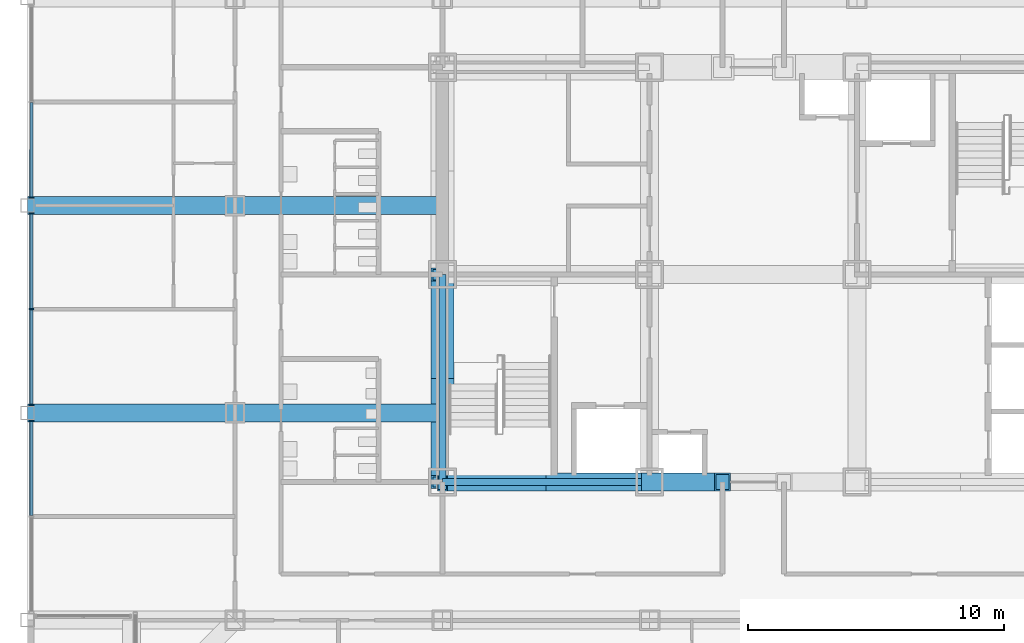
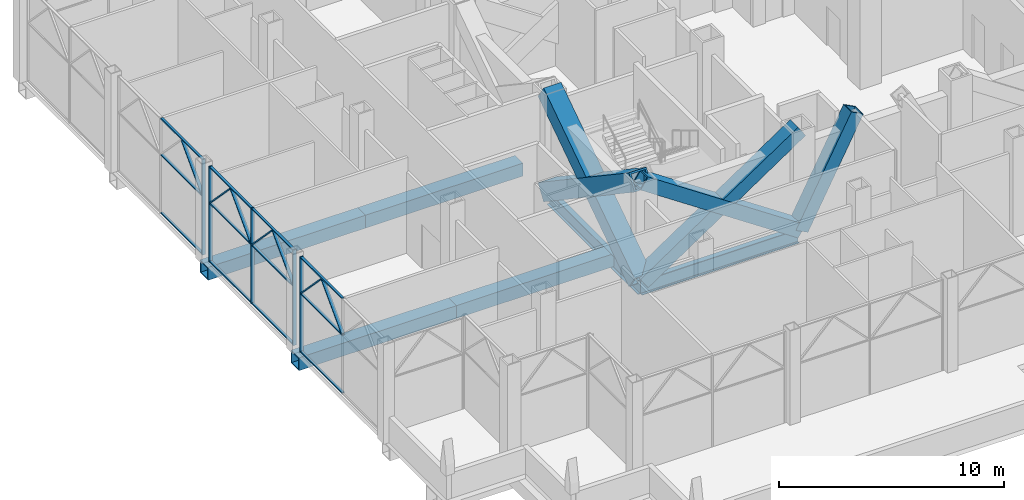
# One storey, part 4 of 29: 29 members, 6 beams, 3 elements without a shape of their own.
"""IFC4 building model written with IfcOpenShell, lengths in metres."""

from ifc_helpers import new_model, si_unit, direction, frame, origin, origin_2d, place, context, subcontext, project, spatial, rectangle, hollow_rectangle, i_section, extrude, material, material_profile, profile_set, type_object, element, aggregate, save


model = new_model("IFC4")

# Units and contexts
model_context = context("Model", 3, precision=1e-05, world=origin(), true_north=direction((0.0, 1.0)))
body_context = subcontext(model_context, "Body", "Model", "MODEL_VIEW")
ifc_project = project(units=[si_unit("LENGTHUNIT", "METRE"), si_unit("AREAUNIT", "SQUARE_METRE"), si_unit("VOLUMEUNIT", "CUBIC_METRE"), si_unit("PLANEANGLEUNIT", "RADIAN"), si_unit("MASSUNIT", "GRAM", prefix="KILO")], contexts=[model_context])

# Site, building, storey
site_placement = place(None, origin())
site = spatial("IfcSite", under=ifc_project, at=site_placement, CompositionType="ELEMENT")
building_placement = place(site_placement, origin())
building = spatial("IfcBuilding", under=site, at=building_placement, Name="Kopane Lantern Tower", CompositionType="ELEMENT")
storey_placement = place(building_placement, frame((0.0, 0.0, 165.0)))
storey = spatial("IfcBuildingStorey", under=building, at=storey_placement, Name="L42", CompositionType="ELEMENT", Elevation=165.0)

# Members
ifc_material_1 = material(Name="Steel S355JR", Category="steel")
ifc_material_profile_1 = material_profile(ifc_material_1, hollow_rectangle(XDim=0.699951171875, YDim=0.699951171875, WallThickness=0.06005859375, at=origin_2d()), Name="BOX 700x700x60")
ifc_profile_set_1 = profile_set([ifc_material_profile_1], Name="Steel S355JR")
member_type_1 = type_object("IfcMemberType", Name="BRACE BOX 700x700x60", PredefinedType="BRACE", material=ifc_profile_set_1)
for number, where, z_axis, x_axis, name in (
    (1, (16.199951171875, 24.300048828125, -0.25), (0.830159256911, 0.0, 0.557526329571), (0.0, 1.0, 0.0), "Core brace L42"),
    (2, (24.300048828125, 24.300048828125, -0.25), (-0.830159256911, 0.0, 0.557526329571), (0.0, -1.0, 0.0), "Core brace L42"),
):
    element("IfcMember", number, at=place(storey_placement, frame(where, z_axis=z_axis, x_axis=x_axis)), inside=storey, type_object=member_type_1, Name=name, PredefinedType="BRACE", context=body_context, shape_type="SweptSolid", body=[
        extrude(hollow_rectangle(XDim=0.699951171875, YDim=0.699951171875, WallThickness=0.06005859375, at=origin_2d()), origin(), (0.0, 0.0, 1.0), 9.75732421875),
    ])
member_1_placement = place(storey_placement, frame((24.300048828125, 24.300048828125, -0.25), z_axis=(0.464053044063, 0.0, 0.885807412645), x_axis=(0.0, 1.0, 0.0)))
element("IfcMember", 3, at=member_1_placement, inside=storey, type_object=member_type_1, Name="Core brace L42", PredefinedType="BRACE", context=body_context, shape_type="SweptSolid", body=[
    extrude(hollow_rectangle(XDim=0.699951171875, YDim=0.699951171875, WallThickness=0.06005859375, at=origin_2d()), origin(), (0.0, 0.0, 1.0), 6.14111328125),
])
ifc_material_2 = material(Name="Steel S355JR", Category="steel")
ifc_material_profile_2 = material_profile(ifc_material_2, hollow_rectangle(XDim=0.89990234375, YDim=0.89990234375, WallThickness=0.090087890625, at=origin_2d()), Name="BOX 900x900x90")
ifc_profile_set_2 = profile_set([ifc_material_profile_2], Name="Steel S355JR")
member_type_2 = type_object("IfcMemberType", Name="BRACE BOX 900x900x90", PredefinedType="BRACE", material=ifc_profile_set_2)
for number, where, z_axis, x_axis, name in (
    (4, (16.199951171875, 24.300048828125, -0.25), (0.0, 0.830151479134, 0.557537910542), (-1.0, 0.0, 0.0), "Core brace L42"),
    (5, (16.199951171875, 32.39990234375, -0.25), (0.0, -0.830151479134, 0.557537910542), (1.0, 0.0, 0.0), "Core brace L42"),
):
    element("IfcMember", number, at=place(storey_placement, frame(where, z_axis=z_axis, x_axis=x_axis)), inside=storey, type_object=member_type_2, Name=name, PredefinedType="BRACE", context=body_context, shape_type="SweptSolid", body=[
        extrude(hollow_rectangle(XDim=0.89990234375, YDim=0.89990234375, WallThickness=0.090087890625, at=origin_2d()), origin(), (0.0, 0.0, 1.0), 9.757080078125),
    ])

# Beams
ifc_material_3 = material(Name="Steel S355JR", Category="steel")
ifc_material_profile_3 = material_profile(ifc_material_3, hollow_rectangle(XDim=0.699951171875, YDim=0.699951171875, WallThickness=0.06005859375, at=origin_2d()), Name="BOX 700x700x60")
ifc_profile_set_3 = profile_set([ifc_material_profile_3], Name="Steel S355JR")
beam_type_1 = type_object("IfcBeamType", Name="GIRDER BOX 700x700x60", PredefinedType="BEAM", material=ifc_profile_set_3)
for number, where, z_axis, x_axis, name in (
    (6, (0.0, 27.0, -0.60009765625), (1.0, 0.0, 0.0), (0.0, 1.0, 0.0), "Girder L42"),
    (7, (0.0, 35.10009765625, -0.60009765625), (1.0, 0.0, 0.0), (0.0, 1.0, 0.0), "Girder L42"),
):
    element("IfcBeam", number, at=place(storey_placement, frame(where, z_axis=z_axis, x_axis=x_axis)), inside=storey, type_object=beam_type_1, Name=name, PredefinedType="BEAM", context=body_context, shape_type="SweptSolid", body=[
        extrude(hollow_rectangle(XDim=0.699951171875, YDim=0.699951171875, WallThickness=0.06005859375, at=origin_2d()), origin(), (0.0, 0.0, 1.0), 8.10009765625),
    ])
for number, where, z_axis, x_axis, name in (
    (8, (8.10009765625, 27.0, -0.60009765625), (1.0, 0.0, 0.0), (0.0, 1.0, 0.0), "Girder L42"),
    (9, (8.10009765625, 35.10009765625, -0.60009765625), (1.0, 0.0, 0.0), (0.0, 1.0, 0.0), "Girder L42"),
):
    element("IfcBeam", number, at=place(storey_placement, frame(where, z_axis=z_axis, x_axis=x_axis)), inside=storey, type_object=beam_type_1, Name=name, PredefinedType="BEAM", context=body_context, shape_type="SweptSolid", body=[
        extrude(hollow_rectangle(XDim=0.699951171875, YDim=0.699951171875, WallThickness=0.06005859375, at=origin_2d()), origin(), (0.0, 0.0, 1.0), 8.099853515625),
    ])
ifc_material_4 = material(Name="Steel S355JR", Category="steel")
ifc_material_profile_4 = material_profile(ifc_material_4, i_section(OverallWidth=0.26806640625, OverallDepth=0.769775390625, WebThickness=0.015625, FlangeThickness=0.025390625, FilletRadius=0.0166015625, at=origin_2d()), Name="UB 762x267x197")
ifc_profile_set_4 = profile_set([ifc_material_profile_4], Name="Steel S355JR")
beam_type_2 = type_object("IfcBeamType", Name="GIRDER UB 762x267x197", PredefinedType="BEAM", material=ifc_profile_set_4)
beam_1_placement = place(storey_placement, frame((16.199951171875, 24.300048828125, -0.635009765625), z_axis=(0.0, 1.0, 0.0), x_axis=(-1.0, 0.0, 0.0)))
element("IfcBeam", 10, at=beam_1_placement, inside=storey, type_object=beam_type_2, Name="Girder L42", PredefinedType="BEAM", context=body_context, shape_type="SweptSolid", body=[
    extrude(i_section(OverallWidth=0.26806640625, OverallDepth=0.769775390625, WebThickness=0.015625, FlangeThickness=0.025390625, FilletRadius=0.0166015625, at=origin_2d()), origin(), (0.0, 0.0, 1.0), 8.099853515625),
])
beam_2_placement = place(storey_placement, frame((16.199951171875, 24.300048828125, -0.635009765625), z_axis=(1.0, 0.0, 0.0), x_axis=(0.0, 1.0, 0.0)))
element("IfcBeam", 11, at=beam_2_placement, inside=storey, type_object=beam_type_2, Name="Girder L42", PredefinedType="BEAM", context=body_context, shape_type="SweptSolid", body=[
    extrude(i_section(OverallWidth=0.26806640625, OverallDepth=0.769775390625, WebThickness=0.015625, FlangeThickness=0.025390625, FilletRadius=0.0166015625, at=origin_2d()), origin(), (0.0, 0.0, 1.0), 8.10009765625),
])

# Curtain wall, members
ifc_material_5 = material(Name="Aluminium and clear glass", Category="aluminium")
curtain_wall_type = type_object("IfcCurtainWallType", Name="CURTAIN WALL CW4 RESIDENCES LOBBY", PredefinedType="USERDEFINED", material=ifc_material_5)
curtain_wall_1_placement = place(storey_placement, origin())
curtain_wall_1 = element("IfcCurtainWall", 12, at=curtain_wall_1_placement, inside=storey, type_object=curtain_wall_type, Name="Curtain wall CW4 W L42", ObjectType="CURTAIN WALL", PredefinedType="USERDEFINED")
ifc_material_6 = material(Name="Aluminium", Category="aluminium")
ifc_material_profile_5 = material_profile(ifc_material_6, rectangle(XDim=0.06005859375, YDim=0.1650390625, at=origin_2d()), Name="AL 60x165")
ifc_profile_set_5 = profile_set([ifc_material_profile_5], Name="Aluminium")
member_type_3 = type_object("IfcMemberType", Name="MULLION CW4-M 60x165", PredefinedType="MULLION", material=ifc_profile_set_5)
member_2_placement = place(storey_placement, frame((0.14990234375, 35.409912109375, 0.0), z_axis=(0.0, 0.0, 1.0), x_axis=(0.0, -1.0, 0.0)))
member_2 = element("IfcMember", 13, at=member_2_placement, type_object=member_type_3, Name="CW4 mullion 3", PredefinedType="MULLION", context=body_context, shape_type="SweptSolid", body=[
    extrude(rectangle(XDim=0.06005859375, YDim=0.1650390625, at=origin_2d()), origin(), (0.0, 0.0, 1.0), 5.18994140625),
])
member_3_placement = place(storey_placement, frame((0.14990234375, 35.461669921875, 3.24072265625), z_axis=(0.0, 0.693125656775, 0.720816775554), x_axis=(0.0, -0.720816775554, 0.693125656775)))
member_3 = element("IfcMember", 14, at=member_3_placement, type_object=member_type_3, Name="CW4 lancet mullion 2R", PredefinedType="MULLION", context=body_context, shape_type="SweptSolid", body=[
    extrude(rectangle(XDim=0.06005859375, YDim=0.1650390625, at=origin_2d()), origin(), (0.0, 0.0, 1.0), 2.592041015625),
])

curtain_wall_2_placement = place(storey_placement, origin())
curtain_wall_2 = element("IfcCurtainWall", 15, at=curtain_wall_2_placement, inside=storey, type_object=curtain_wall_type, Name="Curtain wall CW4 W L42", ObjectType="CURTAIN WALL", PredefinedType="USERDEFINED")
member_4_placement = place(storey_placement, frame((0.14990234375, 34.7900390625, 0.0), z_axis=(0.0, 0.0, 1.0), x_axis=(0.0, -1.0, 0.0)))
member_4 = element("IfcMember", 16, at=member_4_placement, type_object=member_type_3, Name="CW4 mullion 1", PredefinedType="MULLION", context=body_context, shape_type="SweptSolid", body=[
    extrude(rectangle(XDim=0.06005859375, YDim=0.1650390625, at=origin_2d()), origin(), (0.0, 0.0, 1.0), 5.18994140625),
])
member_5_placement = place(storey_placement, frame((0.14990234375, 31.050048828125, 0.0), z_axis=(0.0, 0.0, 1.0), x_axis=(0.0, -1.0, 0.0)))
member_5 = element("IfcMember", 17, at=member_5_placement, type_object=member_type_3, Name="CW4 mullion 2", PredefinedType="MULLION", context=body_context, shape_type="SweptSolid", body=[
    extrude(rectangle(XDim=0.06005859375, YDim=0.1650390625, at=origin_2d()), origin(), (0.0, 0.0, 1.0), 5.18994140625),
])
member_6_placement = place(storey_placement, frame((0.14990234375, 27.31005859375, 0.0), z_axis=(0.0, 0.0, 1.0), x_axis=(0.0, -1.0, 0.0)))
member_6 = element("IfcMember", 18, at=member_6_placement, type_object=member_type_3, Name="CW4 mullion 3", PredefinedType="MULLION", context=body_context, shape_type="SweptSolid", body=[
    extrude(rectangle(XDim=0.06005859375, YDim=0.1650390625, at=origin_2d()), origin(), (0.0, 0.0, 1.0), 5.18994140625),
])
member_7_placement = place(storey_placement, frame((0.14990234375, 34.73828125, 3.24072265625), z_axis=(0.0, -0.693125656775, 0.720816775554), x_axis=(0.0, 0.720816775554, 0.693125656775)))
member_7 = element("IfcMember", 19, at=member_7_placement, type_object=member_type_3, Name="CW4 lancet mullion 1L", PredefinedType="MULLION", context=body_context, shape_type="SweptSolid", body=[
    extrude(rectangle(XDim=0.06005859375, YDim=0.1650390625, at=origin_2d()), origin(), (0.0, 0.0, 1.0), 2.592041015625),
])
member_8_placement = place(storey_placement, frame((0.14990234375, 31.1015625, 3.24072265625), z_axis=(0.0, 0.693174589614, 0.720769719337), x_axis=(0.0, -0.720769719337, 0.693174589614)))
member_8 = element("IfcMember", 20, at=member_8_placement, type_object=member_type_3, Name="CW4 lancet mullion 1R", PredefinedType="MULLION", context=body_context, shape_type="SweptSolid", body=[
    extrude(rectangle(XDim=0.06005859375, YDim=0.1650390625, at=origin_2d()), origin(), (0.0, 0.0, 1.0), 2.59228515625),
])
member_9_placement = place(storey_placement, frame((0.14990234375, 30.998291015625, 3.24072265625), z_axis=(0.0, -0.693125656775, 0.720816775554), x_axis=(0.0, 0.720816775554, 0.693125656775)))
member_9 = element("IfcMember", 21, at=member_9_placement, type_object=member_type_3, Name="CW4 lancet mullion 2L", PredefinedType="MULLION", context=body_context, shape_type="SweptSolid", body=[
    extrude(rectangle(XDim=0.06005859375, YDim=0.1650390625, at=origin_2d()), origin(), (0.0, 0.0, 1.0), 2.592041015625),
])
member_10_placement = place(storey_placement, frame((0.14990234375, 27.361572265625, 3.24072265625), z_axis=(0.0, 0.693174589614, 0.720769719337), x_axis=(0.0, -0.720769719337, 0.693174589614)))
member_10 = element("IfcMember", 22, at=member_10_placement, type_object=member_type_3, Name="CW4 lancet mullion 2R", PredefinedType="MULLION", context=body_context, shape_type="SweptSolid", body=[
    extrude(rectangle(XDim=0.06005859375, YDim=0.1650390625, at=origin_2d()), origin(), (0.0, 0.0, 1.0), 2.59228515625),
])

curtain_wall_3_placement = place(storey_placement, origin())
curtain_wall_3 = element("IfcCurtainWall", 23, at=curtain_wall_3_placement, inside=storey, type_object=curtain_wall_type, Name="Curtain wall CW4 W L42", ObjectType="CURTAIN WALL", PredefinedType="USERDEFINED")
member_11_placement = place(storey_placement, frame((0.14990234375, 26.68994140625, 0.0), z_axis=(0.0, 0.0, 1.0), x_axis=(0.0, -1.0, 0.0)))
member_11 = element("IfcMember", 24, at=member_11_placement, type_object=member_type_3, Name="CW4 mullion 1", PredefinedType="MULLION", context=body_context, shape_type="SweptSolid", body=[
    extrude(rectangle(XDim=0.06005859375, YDim=0.1650390625, at=origin_2d()), origin(), (0.0, 0.0, 1.0), 5.18994140625),
])
member_12_placement = place(storey_placement, frame((0.14990234375, 26.638427734375, 3.24072265625), z_axis=(0.0, -0.693174589614, 0.720769719337), x_axis=(0.0, 0.720769719337, 0.693174589614)))
member_12 = element("IfcMember", 25, at=member_12_placement, type_object=member_type_3, Name="CW4 lancet mullion 1L", PredefinedType="MULLION", context=body_context, shape_type="SweptSolid", body=[
    extrude(rectangle(XDim=0.06005859375, YDim=0.1650390625, at=origin_2d()), origin(), (0.0, 0.0, 1.0), 2.59228515625),
])
member_13_placement = place(storey_placement, frame((0.14990234375, 23.001708984375, 3.24072265625), z_axis=(0.0, 0.693125656775, 0.720816775554), x_axis=(0.0, -0.720816775554, 0.693125656775)))
member_13 = element("IfcMember", 26, at=member_13_placement, type_object=member_type_3, Name="CW4 lancet mullion 1R", PredefinedType="MULLION", context=body_context, shape_type="SweptSolid", body=[
    extrude(rectangle(XDim=0.06005859375, YDim=0.1650390625, at=origin_2d()), origin(), (0.0, 0.0, 1.0), 2.592041015625),
])

# Member
ifc_material_7 = material(Name="Aluminium", Category="aluminium")
ifc_material_profile_6 = material_profile(ifc_material_7, rectangle(XDim=0.125, YDim=0.06005859375, at=origin_2d()), Name="AL 125x60")
ifc_profile_set_6 = profile_set([ifc_material_profile_6], Name="Aluminium")
member_type_4 = type_object("IfcMemberType", Name="TRANSOM CW4-T 60x125", PredefinedType="USERDEFINED", material=ifc_profile_set_6)
member_14_placement = place(storey_placement, frame((0.14990234375, 39.1201171875, 0.030029296875), z_axis=(0.0, -1.0, 0.0), x_axis=(1.0, 0.0, 0.0)))
member_14 = element("IfcMember", 27, at=member_14_placement, type_object=member_type_4, Name="CW4 transom 2.1", ObjectType="TRANSOM", PredefinedType="USERDEFINED", context=body_context, shape_type="SweptSolid", body=[
    extrude(rectangle(XDim=0.125, YDim=0.06005859375, at=origin_2d()), origin(), (0.0, 0.0, 1.0), 3.68017578125),
])

member_15_placement = place(storey_placement, frame((0.14990234375, 39.1201171875, 3.18994140625), z_axis=(0.0, -1.0, 0.0), x_axis=(1.0, 0.0, 0.0)))
member_15 = element("IfcMember", 28, at=member_15_placement, type_object=member_type_4, Name="CW4 transom 2.2", ObjectType="TRANSOM", PredefinedType="USERDEFINED", context=body_context, shape_type="SweptSolid", body=[
    extrude(rectangle(XDim=0.125, YDim=0.06005859375, at=origin_2d()), origin(), (0.0, 0.0, 1.0), 3.68017578125),
])

member_16_placement = place(storey_placement, frame((0.14990234375, 39.1201171875, 5.159912109375), z_axis=(0.0, -1.0, 0.0), x_axis=(1.0, 0.0, 0.0)))
member_16 = element("IfcMember", 29, at=member_16_placement, type_object=member_type_4, Name="CW4 transom 2.3", ObjectType="TRANSOM", PredefinedType="USERDEFINED", context=body_context, shape_type="SweptSolid", body=[
    extrude(rectangle(XDim=0.125, YDim=0.06005859375, at=origin_2d()), origin(), (0.0, 0.0, 1.0), 3.68017578125),
])

aggregate(curtain_wall_1, [member_2, member_14, member_15, member_16, member_3])

member_17_placement = place(storey_placement, frame((0.14990234375, 34.760009765625, 0.030029296875), z_axis=(0.0, -1.0, 0.0), x_axis=(1.0, 0.0, 0.0)))
member_17 = element("IfcMember", 30, at=member_17_placement, type_object=member_type_4, Name="CW4 transom 1.1", ObjectType="TRANSOM", PredefinedType="USERDEFINED", context=body_context, shape_type="SweptSolid", body=[
    extrude(rectangle(XDim=0.125, YDim=0.06005859375, at=origin_2d()), origin(), (0.0, 0.0, 1.0), 3.679931640625),
])

member_18_placement = place(storey_placement, frame((0.14990234375, 34.760009765625, 3.18994140625), z_axis=(0.0, -1.0, 0.0), x_axis=(1.0, 0.0, 0.0)))
member_18 = element("IfcMember", 31, at=member_18_placement, type_object=member_type_4, Name="CW4 transom 1.2", ObjectType="TRANSOM", PredefinedType="USERDEFINED", context=body_context, shape_type="SweptSolid", body=[
    extrude(rectangle(XDim=0.125, YDim=0.06005859375, at=origin_2d()), origin(), (0.0, 0.0, 1.0), 3.679931640625),
])

member_19_placement = place(storey_placement, frame((0.14990234375, 34.760009765625, 5.159912109375), z_axis=(0.0, -1.0, 0.0), x_axis=(1.0, 0.0, 0.0)))
member_19 = element("IfcMember", 32, at=member_19_placement, type_object=member_type_4, Name="CW4 transom 1.3", ObjectType="TRANSOM", PredefinedType="USERDEFINED", context=body_context, shape_type="SweptSolid", body=[
    extrude(rectangle(XDim=0.125, YDim=0.06005859375, at=origin_2d()), origin(), (0.0, 0.0, 1.0), 3.679931640625),
])

member_20_placement = place(storey_placement, frame((0.14990234375, 31.02001953125, 0.030029296875), z_axis=(0.0, -1.0, 0.0), x_axis=(1.0, 0.0, 0.0)))
member_20 = element("IfcMember", 33, at=member_20_placement, type_object=member_type_4, Name="CW4 transom 2.1", ObjectType="TRANSOM", PredefinedType="USERDEFINED", context=body_context, shape_type="SweptSolid", body=[
    extrude(rectangle(XDim=0.125, YDim=0.06005859375, at=origin_2d()), origin(), (0.0, 0.0, 1.0), 3.679931640625),
])

member_21_placement = place(storey_placement, frame((0.14990234375, 31.02001953125, 3.18994140625), z_axis=(0.0, -1.0, 0.0), x_axis=(1.0, 0.0, 0.0)))
member_21 = element("IfcMember", 34, at=member_21_placement, type_object=member_type_4, Name="CW4 transom 2.2", ObjectType="TRANSOM", PredefinedType="USERDEFINED", context=body_context, shape_type="SweptSolid", body=[
    extrude(rectangle(XDim=0.125, YDim=0.06005859375, at=origin_2d()), origin(), (0.0, 0.0, 1.0), 3.679931640625),
])

member_22_placement = place(storey_placement, frame((0.14990234375, 31.02001953125, 5.159912109375), z_axis=(0.0, -1.0, 0.0), x_axis=(1.0, 0.0, 0.0)))
member_22 = element("IfcMember", 35, at=member_22_placement, type_object=member_type_4, Name="CW4 transom 2.3", ObjectType="TRANSOM", PredefinedType="USERDEFINED", context=body_context, shape_type="SweptSolid", body=[
    extrude(rectangle(XDim=0.125, YDim=0.06005859375, at=origin_2d()), origin(), (0.0, 0.0, 1.0), 3.679931640625),
])

aggregate(curtain_wall_2, [member_4, member_5, member_6, member_17, member_18, member_19, member_20, member_21, member_22, member_7, member_8, member_9, member_10])

member_23_placement = place(storey_placement, frame((0.14990234375, 26.659912109375, 0.030029296875), z_axis=(0.0, -1.0, 0.0), x_axis=(1.0, 0.0, 0.0)))
member_23 = element("IfcMember", 36, at=member_23_placement, type_object=member_type_4, Name="CW4 transom 1.1", ObjectType="TRANSOM", PredefinedType="USERDEFINED", context=body_context, shape_type="SweptSolid", body=[
    extrude(rectangle(XDim=0.125, YDim=0.06005859375, at=origin_2d()), origin(), (0.0, 0.0, 1.0), 3.679931640625),
])

member_24_placement = place(storey_placement, frame((0.14990234375, 26.659912109375, 3.18994140625), z_axis=(0.0, -1.0, 0.0), x_axis=(1.0, 0.0, 0.0)))
member_24 = element("IfcMember", 37, at=member_24_placement, type_object=member_type_4, Name="CW4 transom 1.2", ObjectType="TRANSOM", PredefinedType="USERDEFINED", context=body_context, shape_type="SweptSolid", body=[
    extrude(rectangle(XDim=0.125, YDim=0.06005859375, at=origin_2d()), origin(), (0.0, 0.0, 1.0), 3.679931640625),
])

member_25_placement = place(storey_placement, frame((0.14990234375, 26.659912109375, 5.159912109375), z_axis=(0.0, -1.0, 0.0), x_axis=(1.0, 0.0, 0.0)))
member_25 = element("IfcMember", 38, at=member_25_placement, type_object=member_type_4, Name="CW4 transom 1.3", ObjectType="TRANSOM", PredefinedType="USERDEFINED", context=body_context, shape_type="SweptSolid", body=[
    extrude(rectangle(XDim=0.125, YDim=0.06005859375, at=origin_2d()), origin(), (0.0, 0.0, 1.0), 3.679931640625),
])

aggregate(curtain_wall_3, [member_11, member_23, member_24, member_25, member_12, member_13])

save(model, "model.ifc")
